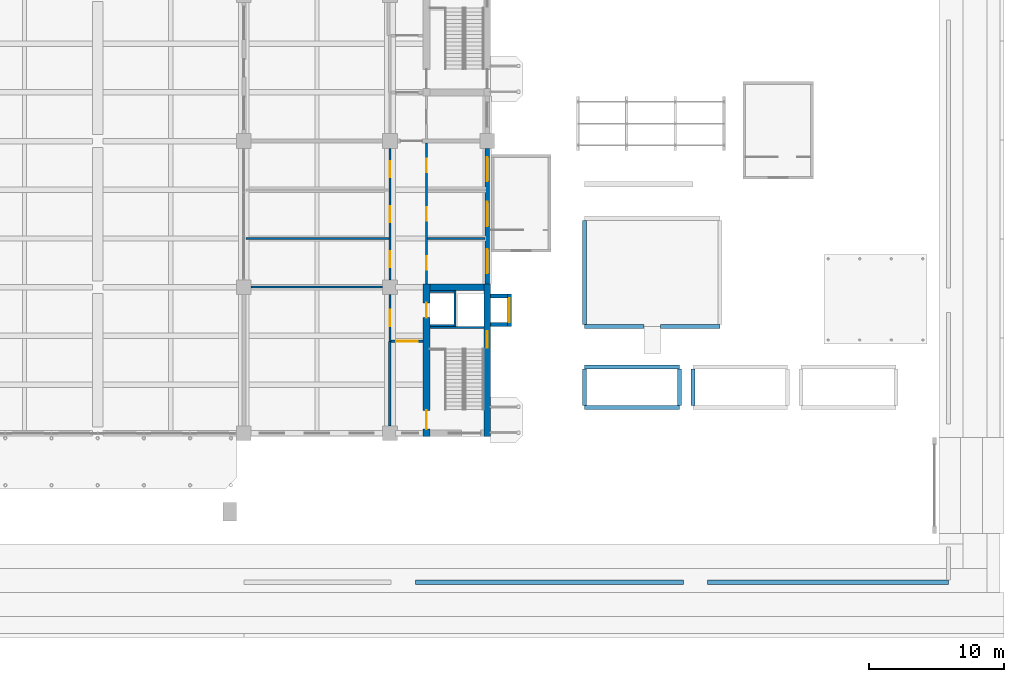
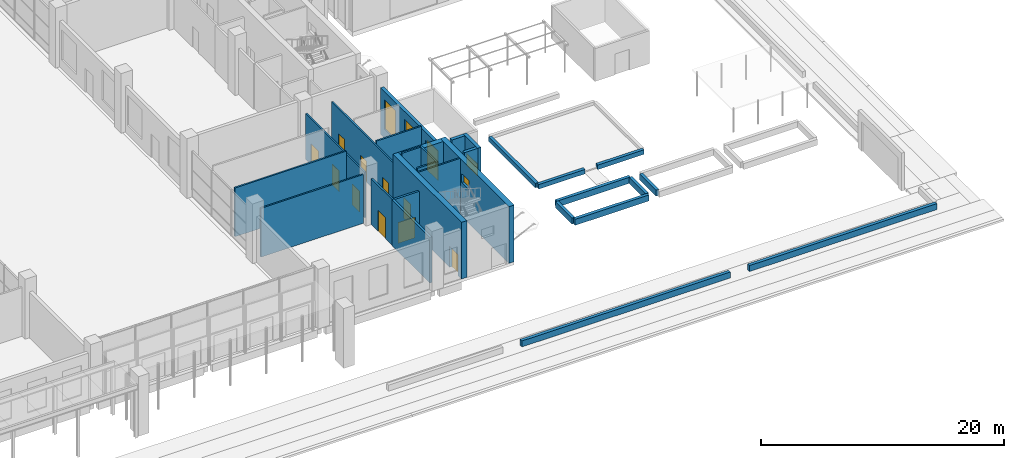
# One storey, part 51 of 71: 29 walls, 10 doors, 5 windows, 15 openings.
"""IFC4 building model written with IfcOpenShell, lengths in metres."""

from ifc_helpers import new_model, si_unit, direction, frame, frame_2d, origin, place, context, subcontext, project, spatial, rectangle, extrude, material, layer, layer_set, type_object, element, fill, save


model = new_model("IFC4")

# Units and contexts
model_context = context("Model", 3, precision=1e-05, world=origin(), true_north=direction((0.0, 1.0)))
body_context = subcontext(model_context, "Body", "Model", "MODEL_VIEW")
ifc_project = project(units=[si_unit("LENGTHUNIT", "METRE"), si_unit("AREAUNIT", "SQUARE_METRE"), si_unit("VOLUMEUNIT", "CUBIC_METRE"), si_unit("PLANEANGLEUNIT", "RADIAN"), si_unit("MASSUNIT", "GRAM", prefix="KILO")], contexts=[model_context])

# Site, building, storey
site_placement = place(None, origin())
site = spatial("IfcSite", under=ifc_project, at=site_placement, CompositionType="ELEMENT")
building_placement = place(site_placement, origin())
building = spatial("IfcBuilding", under=site, at=building_placement, Name="Basin Gate Institute", CompositionType="ELEMENT")
storey_placement = place(building_placement, origin())
storey = spatial("IfcBuildingStorey", under=building, at=storey_placement, Name="L00", CompositionType="ELEMENT", Elevation=0.0)

# Walls
ifc_material_1 = material(Name="Concrete 35 MPa", Category="concrete")
ifc_layer_1 = layer(ifc_material_1, 0.300048828125)
ifc_layer_set_1 = layer_set([ifc_layer_1], Name="Concrete 35 MPa")
wall_type_1 = type_object("IfcWallType", Name="Edge planter wall PL2", PredefinedType="SOLIDWALL", material=ifc_layer_set_1)
wall_1_placement = place(storey_placement, frame((113.489990234375, 24.090087890625, 0.0), z_axis=(0.0, 0.0, 1.0), x_axis=(1.0, 0.0, 0.0)))
element("IfcWall", 1, at=wall_1_placement, inside=storey, type_object=wall_type_1, material=ifc_layer_set_1, Name="Edge planter wall S5", PredefinedType="SOLIDWALL", context=body_context, shape_type="SweptSolid", body=[
    extrude(rectangle(XDim=19.800048828125, YDim=0.300048828125, at=frame_2d((9.89990234375, 0.0))), origin(), (0.0, 0.0, 1.0), 0.60009765625),
])
wall_2_placement = place(storey_placement, frame((135.090087890625, 24.090087890625, 0.0), z_axis=(0.0, 0.0, 1.0), x_axis=(1.0, 0.0, 0.0)))
element("IfcWall", 2, at=wall_2_placement, inside=storey, type_object=wall_type_1, material=ifc_layer_set_1, Name="Edge planter wall S6", PredefinedType="SOLIDWALL", context=body_context, shape_type="SweptSolid", body=[
    extrude(rectangle(XDim=17.81982421875, YDim=0.300048828125, at=frame_2d((8.909912109375, 0.0))), origin(), (0.0, 0.0, 1.0), 0.60009765625),
])

# Wall, opening, door
ifc_material_2 = material(Name="Fire-rated masonry", Category="masonry")
ifc_layer_2 = layer(ifc_material_2, 0.199951171875)
ifc_layer_set_2 = layer_set([ifc_layer_2], Name="Enclosure wall PW2 200 EI 60")
wall_type_2 = type_object("IfcWallType", Name="Enclosure wall PW2 200 EI 60", PredefinedType="PARTITIONING", material=ifc_layer_set_2)
wall_3_placement = place(storey_placement, frame((114.050048828125, 41.89990234375, 0.0), z_axis=(0.0, 0.0, 1.0), x_axis=(-1.0, 0.0, 0.0)))
wall_3 = element("IfcWall", 3, at=wall_3_placement, inside=storey, type_object=wall_type_2, material=ifc_layer_set_2, Name="Smoke lobby enclosure wall PW2 L00", PredefinedType="PARTITIONING", context=body_context, shape_type="SweptSolid", body=[
    extrude(rectangle(XDim=2.35009765625, YDim=0.199951171875, at=frame_2d((1.175048828125, 0.0))), origin(), (0.0, 0.0, 1.0), 4.60009765625),
])
opening_1_placement = place(wall_3_placement, frame((0.375, 0.0, 0.0)))
opening_1 = element("IfcOpeningElement", 4, at=opening_1_placement, cuts=wall_3, Name="Opening DR016", PredefinedType="OPENING", context=body_context, shape_type="SweptSolid", body=[
    extrude(rectangle(XDim=1.60009765625, YDim=2.10009765625, at=frame_2d((0.800048828125, 1.050048828125))), frame((0.0, 0.10986328125, 0.0), z_axis=(0.0, -1.0, 0.0), x_axis=(1.0, 0.0, 0.0)), (0.0, 0.0, 1.0), 0.219970703125),
])
ifc_material_3 = material(Name="Steel fire door", Category="steel")
door_type_1 = type_object("IfcDoorType", Name="FD60 Smoke lobby door pair D8", OperationType="DOUBLE_DOOR_SINGLE_SWING", PredefinedType="DOOR", material=ifc_material_3)
door_1_placement = place(opening_1_placement, origin())
door_1 = element("IfcDoor", 5, at=door_1_placement, inside=storey, type_object=door_type_1, material=ifc_material_3, Name="Smoke lobby door SS4 L00", OperationType="DOUBLE_DOOR_SINGLE_SWING", OverallHeight=2.10009765625, OverallWidth=1.60009765625, PredefinedType="DOOR", context=body_context, shape_type="SweptSolid", body=[
    extrude(rectangle(XDim=1.60009765625, YDim=2.10009765625, at=frame_2d((0.800048828125, 1.050048828125))), frame((0.0, 0.02490234375, 0.0), z_axis=(0.0, -1.0, 0.0), x_axis=(1.0, 0.0, 0.0)), (0.0, 0.0, 1.0), 0.050048828125),
])
fill(opening_1, door_1)

# Wall
wall_4_placement = place(storey_placement, frame((111.60009765625, 35.64990234375, 0.0), z_axis=(0.0, 0.0, 1.0), x_axis=(0.0, 1.0, 0.0)))
element("IfcWall", 6, at=wall_4_placement, inside=storey, type_object=wall_type_2, material=ifc_layer_set_2, Name="Smoke lobby enclosure wall PW2 L00", PredefinedType="PARTITIONING", context=body_context, shape_type="SweptSolid", body=[
    extrude(rectangle(XDim=6.25, YDim=0.199951171875, at=frame_2d((3.125, 0.0))), origin(), (0.0, 0.0, 1.0), 4.60009765625),
])

# Wall, openings, windows
ifc_material_4 = material(Name="Aluminium-faced insulated panel wall", Category="aluminium")
ifc_layer_3 = layer(ifc_material_4, 0.300048828125)
ifc_layer_set_3 = layer_set([ifc_layer_3], Name="External wall EW1 EI 120")
wall_type_3 = type_object("IfcWallType", Name="External wall EW1 EI 120", PredefinedType="STANDARD", material=ifc_layer_set_3)
wall_5_placement = place(storey_placement, frame((118.800048828125, 46.14990234375, 0.0), z_axis=(0.0, 0.0, 1.0), x_axis=(0.0, 1.0, 0.0)))
wall_5 = element("IfcWall", 7, at=wall_5_placement, inside=storey, type_object=wall_type_3, material=ifc_layer_set_3, Name="External wall E facade L00 1", PredefinedType="STANDARD", context=body_context, shape_type="SweptSolid", body=[
    extrude(rectangle(XDim=10.0, YDim=0.300048828125, at=frame_2d((5.0, 0.0))), origin(), (0.0, 0.0, 1.0), 4.699951171875),
])
opening_2_placement = place(wall_5_placement, frame((0.77490234375, 0.0, 0.89990234375)))
opening_2 = element("IfcOpeningElement", 8, at=opening_2_placement, cuts=wall_5, Name="Opening WN2", PredefinedType="OPENING", context=body_context, shape_type="SweptSolid", body=[
    extrude(rectangle(XDim=1.800048828125, YDim=3.0, at=frame_2d((0.89990234375, 1.5))), frame((0.0, 0.16015625, 0.0), z_axis=(0.0, -1.0, 0.0), x_axis=(1.0, 0.0, 0.0)), (0.0, 0.0, 1.0), 0.320068359375),
])
opening_3_placement = place(wall_5_placement, frame((4.25, 0.0, 0.89990234375)))
opening_3 = element("IfcOpeningElement", 9, at=opening_3_placement, cuts=wall_5, Name="Opening WN2", PredefinedType="OPENING", context=body_context, shape_type="SweptSolid", body=[
    extrude(rectangle(XDim=1.800048828125, YDim=3.0, at=frame_2d((0.89990234375, 1.5))), frame((0.0, 0.16015625, 0.0), z_axis=(0.0, -1.0, 0.0), x_axis=(1.0, 0.0, 0.0)), (0.0, 0.0, 1.0), 0.320068359375),
])
opening_4_placement = place(wall_5_placement, frame((7.574951171875, 0.0, 0.89990234375)))
opening_4 = element("IfcOpeningElement", 10, at=opening_4_placement, cuts=wall_5, Name="Opening WN2", PredefinedType="OPENING", context=body_context, shape_type="SweptSolid", body=[
    extrude(rectangle(XDim=1.800048828125, YDim=3.0, at=frame_2d((0.89990234375, 1.5))), frame((0.0, 0.16015625, 0.0), z_axis=(0.0, -1.0, 0.0), x_axis=(1.0, 0.0, 0.0)), (0.0, 0.0, 1.0), 0.320068359375),
])
ifc_material_5 = material(Name="Aluminium-framed double glazing", Category="aluminium")
window_type_1 = type_object("IfcWindowType", Name="Podium window WN2", PartitioningType="SINGLE_PANEL", PredefinedType="WINDOW", material=ifc_material_5)
window_1_placement = place(opening_2_placement, origin())
window_1 = element("IfcWindow", 11, at=window_1_placement, inside=storey, type_object=window_type_1, material=ifc_material_5, Name="Podium window E facade L00 bay 4", OverallHeight=3.0, OverallWidth=1.800048828125, PartitioningType="SINGLE_PANEL", PredefinedType="WINDOW", context=body_context, shape_type="SweptSolid", body=[
    extrude(rectangle(XDim=1.800048828125, YDim=3.0, at=frame_2d((0.89990234375, 1.5))), frame((0.0, 0.030029296875, 0.0), z_axis=(0.0, -1.0, 0.0), x_axis=(1.0, 0.0, 0.0)), (0.0, 0.0, 1.0), 0.06005859375),
])
fill(opening_2, window_1)
window_2_placement = place(opening_3_placement, origin())
window_2 = element("IfcWindow", 12, at=window_2_placement, inside=storey, type_object=window_type_1, material=ifc_material_5, Name="Podium window E facade L00 bay 5", OverallHeight=3.0, OverallWidth=1.800048828125, PartitioningType="SINGLE_PANEL", PredefinedType="WINDOW", context=body_context, shape_type="SweptSolid", body=[
    extrude(rectangle(XDim=1.800048828125, YDim=3.0, at=frame_2d((0.89990234375, 1.5))), frame((0.0, 0.030029296875, 0.0), z_axis=(0.0, -1.0, 0.0), x_axis=(1.0, 0.0, 0.0)), (0.0, 0.0, 1.0), 0.06005859375),
])
fill(opening_3, window_2)
window_3_placement = place(opening_4_placement, origin())
window_3 = element("IfcWindow", 13, at=window_3_placement, inside=storey, type_object=window_type_1, material=ifc_material_5, Name="Podium window E facade L00 bay 6", OverallHeight=3.0, OverallWidth=1.800048828125, PartitioningType="SINGLE_PANEL", PredefinedType="WINDOW", context=body_context, shape_type="SweptSolid", body=[
    extrude(rectangle(XDim=1.800048828125, YDim=3.0, at=frame_2d((0.89990234375, 1.5))), frame((0.0, 0.030029296875, 0.0), z_axis=(0.0, -1.0, 0.0), x_axis=(1.0, 0.0, 0.0)), (0.0, 0.0, 1.0), 0.06005859375),
])
fill(opening_4, window_3)

# Wall, openings, doors
ifc_material_6 = material(Name="Gypsum board on steel stud", Category="steel")
ifc_layer_4 = layer(ifc_material_6, 0.14990234375)
ifc_layer_set_4 = layer_set([ifc_layer_4], Name="Gypsum board on steel stud")
wall_type_4 = type_object("IfcWallType", Name="Partition PW1 150 EI 60", PredefinedType="PARTITIONING", material=ifc_layer_set_4)
wall_6_placement = place(storey_placement, frame((114.300048828125, 46.14990234375, 0.0), z_axis=(0.0, 0.0, 1.0), x_axis=(0.0, 1.0, 0.0)))
wall_6 = element("IfcWall", 14, at=wall_6_placement, inside=storey, type_object=wall_type_4, material=ifc_layer_set_4, Name="Corridor wall PW1 L00", PredefinedType="PARTITIONING", context=body_context, shape_type="SweptSolid", body=[
    extrude(rectangle(XDim=10.400146484375, YDim=0.14990234375, at=frame_2d((5.2001953125, 0.0))), origin(), (0.0, 0.0, 1.0), 4.60009765625),
])
opening_5_placement = place(wall_6_placement, frame((4.64990234375, 0.0, 0.0)))
opening_5 = element("IfcOpeningElement", 15, at=opening_5_placement, cuts=wall_6, Name="Opening DR005", PredefinedType="OPENING", context=body_context, shape_type="SweptSolid", body=[
    extrude(rectangle(XDim=1.0, YDim=2.10009765625, at=frame_2d((0.5, 1.050048828125))), frame((0.0, 0.0849609375, 0.0), z_axis=(0.0, -1.0, 0.0), x_axis=(1.0, 0.0, 0.0)), (0.0, 0.0, 1.0), 0.169921875),
])
opening_6_placement = place(wall_6_placement, frame((1.050048828125, 0.0, 0.0)))
opening_6 = element("IfcOpeningElement", 16, at=opening_6_placement, cuts=wall_6, Name="Opening DR009", PredefinedType="OPENING", context=body_context, shape_type="SweptSolid", body=[
    extrude(rectangle(XDim=1.0, YDim=2.10009765625, at=frame_2d((0.5, 1.050048828125))), frame((0.0, 0.0849609375, 0.0), z_axis=(0.0, -1.0, 0.0), x_axis=(1.0, 0.0, 0.0)), (0.0, 0.0, 1.0), 0.169921875),
])
opening_7_placement = place(wall_6_placement, frame((8.25, 0.0, 0.0)))
opening_7 = element("IfcOpeningElement", 17, at=opening_7_placement, cuts=wall_6, Name="Opening DR013", PredefinedType="OPENING", context=body_context, shape_type="SweptSolid", body=[
    extrude(rectangle(XDim=1.0, YDim=2.10009765625, at=frame_2d((0.5, 1.050048828125))), frame((0.0, 0.0849609375, 0.0), z_axis=(0.0, -1.0, 0.0), x_axis=(1.0, 0.0, 0.0)), (0.0, 0.0, 1.0), 0.169921875),
])
ifc_material_7 = material(Name="Timber fire door", Category="wood")
door_type_2 = type_object("IfcDoorType", Name="FD30 Office door D1", OperationType="NOTDEFINED", PredefinedType="DOOR", material=ifc_material_7)
door_2_placement = place(opening_7_placement, frame((1.0, 0.0, 0.0), z_axis=(0.0, 0.0, 1.0), x_axis=(-1.0, 0.0, 0.0)))
door_2 = element("IfcDoor", 18, at=door_2_placement, inside=storey, type_object=door_type_2, material=ifc_material_7, Name="Door to Write-up Office 0053 L00", OperationType="SINGLE_SWING_LEFT", OverallHeight=2.10009765625, OverallWidth=1.0, PredefinedType="DOOR", context=body_context, shape_type="SweptSolid", body=[
    extrude(rectangle(XDim=1.0, YDim=2.10009765625, at=frame_2d((0.5, 1.050048828125))), frame((0.0, 0.02490234375, 0.0), z_axis=(0.0, -1.0, 0.0), x_axis=(1.0, 0.0, 0.0)), (0.0, 0.0, 1.0), 0.050048828125),
])
fill(opening_7, door_2)
ifc_material_8 = material(Name="Timber fire door", Category="wood")
door_type_3 = type_object("IfcDoorType", Name="FD30 Toilet door D3", OperationType="NOTDEFINED", PredefinedType="DOOR", material=ifc_material_8)
door_3_placement = place(opening_5_placement, frame((1.0, 0.0, 0.0), z_axis=(0.0, 0.0, 1.0), x_axis=(-1.0, 0.0, 0.0)))
door_3 = element("IfcDoor", 19, at=door_3_placement, inside=storey, type_object=door_type_3, material=ifc_material_8, Name="Door to Female WC L00", OperationType="SINGLE_SWING_RIGHT", OverallHeight=2.10009765625, OverallWidth=1.0, PredefinedType="DOOR", context=body_context, shape_type="SweptSolid", body=[
    extrude(rectangle(XDim=1.0, YDim=2.10009765625, at=frame_2d((0.5, 1.050048828125))), frame((0.0, 0.02490234375, 0.0), z_axis=(0.0, -1.0, 0.0), x_axis=(1.0, 0.0, 0.0)), (0.0, 0.0, 1.0), 0.050048828125),
])
fill(opening_5, door_3)
door_4_placement = place(opening_6_placement, frame((1.0, 0.0, 0.0), z_axis=(0.0, 0.0, 1.0), x_axis=(-1.0, 0.0, 0.0)))
door_4 = element("IfcDoor", 20, at=door_4_placement, inside=storey, type_object=door_type_3, material=ifc_material_8, Name="Door to Male WC L00", OperationType="SINGLE_SWING_RIGHT", OverallHeight=2.10009765625, OverallWidth=1.0, PredefinedType="DOOR", context=body_context, shape_type="SweptSolid", body=[
    extrude(rectangle(XDim=1.0, YDim=2.10009765625, at=frame_2d((0.5, 1.050048828125))), frame((0.0, 0.02490234375, 0.0), z_axis=(0.0, -1.0, 0.0), x_axis=(1.0, 0.0, 0.0)), (0.0, 0.0, 1.0), 0.050048828125),
])
fill(opening_6, door_4)

# Wall, opening, door
wall_7_placement = place(storey_placement, frame((111.60009765625, 41.89990234375, 0.0), z_axis=(0.0, 0.0, 1.0), x_axis=(0.0, 1.0, 0.0)))
wall_7 = element("IfcWall", 21, at=wall_7_placement, inside=storey, type_object=wall_type_4, material=ifc_layer_set_4, Name="Laboratory corridor wall PW1 L00", PredefinedType="PARTITIONING", context=body_context, shape_type="SweptSolid", body=[
    extrude(rectangle(XDim=3.4501953125, YDim=0.14990234375, at=frame_2d((1.72509765625, 0.0))), origin(), (0.0, 0.0, 1.0), 4.60009765625),
])
opening_8_placement = place(wall_7_placement, frame((1.125, 0.0, 0.0)))
opening_8 = element("IfcOpeningElement", 22, at=opening_8_placement, cuts=wall_7, Name="Opening DR001", PredefinedType="OPENING", context=body_context, shape_type="SweptSolid", body=[
    extrude(rectangle(XDim=1.199951171875, YDim=2.10009765625, at=frame_2d((0.60009765625, 1.050048828125))), frame((0.0, 0.0849609375, 0.0), z_axis=(0.0, -1.0, 0.0), x_axis=(1.0, 0.0, 0.0)), (0.0, 0.0, 1.0), 0.169921875),
])
ifc_material_9 = material(Name="Timber fire door", Category="wood")
door_type_4 = type_object("IfcDoorType", Name="FD30 Laboratory door D2", OperationType="DOUBLE_DOOR_SINGLE_SWING", PredefinedType="DOOR", material=ifc_material_9)
door_5_placement = place(opening_8_placement, origin())
door_5 = element("IfcDoor", 23, at=door_5_placement, inside=storey, type_object=door_type_4, material=ifc_material_9, Name="Door to Dry Laboratory 0065 L00", OperationType="DOUBLE_DOOR_SINGLE_SWING", OverallHeight=2.10009765625, OverallWidth=1.199951171875, PredefinedType="DOOR", context=body_context, shape_type="SweptSolid", body=[
    extrude(rectangle(XDim=1.199951171875, YDim=2.10009765625, at=frame_2d((0.60009765625, 1.050048828125))), frame((0.0, 0.02490234375, 0.0), z_axis=(0.0, -1.0, 0.0), x_axis=(1.0, 0.0, 0.0)), (0.0, 0.0, 1.0), 0.050048828125),
])
fill(opening_8, door_5)

# Wall, openings, doors
wall_8_placement = place(storey_placement, frame((111.60009765625, 46.449951171875, 0.0), z_axis=(0.0, 0.0, 1.0), x_axis=(0.0, 1.0, 0.0)))
wall_8 = element("IfcWall", 24, at=wall_8_placement, inside=storey, type_object=wall_type_4, material=ifc_layer_set_4, Name="Laboratory corridor wall PW1 L00", PredefinedType="PARTITIONING", context=body_context, shape_type="SweptSolid", body=[
    extrude(rectangle(XDim=9.699951171875, YDim=0.14990234375, at=frame_2d((4.85009765625, 0.0))), origin(), (0.0, 0.0, 1.0), 4.60009765625),
])
opening_9_placement = place(wall_8_placement, frame((4.25, 0.0, 0.0)))
opening_9 = element("IfcOpeningElement", 25, at=opening_9_placement, cuts=wall_8, Name="Opening DR002", PredefinedType="OPENING", context=body_context, shape_type="SweptSolid", body=[
    extrude(rectangle(XDim=1.199951171875, YDim=2.10009765625, at=frame_2d((0.60009765625, 1.050048828125))), frame((0.0, 0.0849609375, 0.0), z_axis=(0.0, -1.0, 0.0), x_axis=(1.0, 0.0, 0.0)), (0.0, 0.0, 1.0), 0.169921875),
])
opening_10_placement = place(wall_8_placement, frame((0.925048828125, 0.0, 0.0)))
opening_10 = element("IfcOpeningElement", 26, at=opening_10_placement, cuts=wall_8, Name="Opening DR010", PredefinedType="OPENING", context=body_context, shape_type="SweptSolid", body=[
    extrude(rectangle(XDim=1.199951171875, YDim=2.10009765625, at=frame_2d((0.60009765625, 1.050048828125))), frame((0.0, 0.0849609375, 0.0), z_axis=(0.0, -1.0, 0.0), x_axis=(1.0, 0.0, 0.0)), (0.0, 0.0, 1.0), 0.169921875),
])
opening_11_placement = place(wall_8_placement, frame((7.574951171875, 0.0, 0.0)))
opening_11 = element("IfcOpeningElement", 27, at=opening_11_placement, cuts=wall_8, Name="Opening DR011", PredefinedType="OPENING", context=body_context, shape_type="SweptSolid", body=[
    extrude(rectangle(XDim=1.199951171875, YDim=2.10009765625, at=frame_2d((0.60009765625, 1.050048828125))), frame((0.0, 0.0849609375, 0.0), z_axis=(0.0, -1.0, 0.0), x_axis=(1.0, 0.0, 0.0)), (0.0, 0.0, 1.0), 0.169921875),
])
door_6_placement = place(opening_9_placement, origin())
door_6 = element("IfcDoor", 28, at=door_6_placement, inside=storey, type_object=door_type_4, material=ifc_material_9, Name="Door to Dry Laboratory 0067 L00", OperationType="DOUBLE_DOOR_SINGLE_SWING", OverallHeight=2.10009765625, OverallWidth=1.199951171875, PredefinedType="DOOR", context=body_context, shape_type="SweptSolid", body=[
    extrude(rectangle(XDim=1.199951171875, YDim=2.10009765625, at=frame_2d((0.60009765625, 1.050048828125))), frame((0.0, 0.02490234375, 0.0), z_axis=(0.0, -1.0, 0.0), x_axis=(1.0, 0.0, 0.0)), (0.0, 0.0, 1.0), 0.050048828125),
])
fill(opening_9, door_6)
door_7_placement = place(opening_10_placement, origin())
door_7 = element("IfcDoor", 29, at=door_7_placement, inside=storey, type_object=door_type_4, material=ifc_material_9, Name="Door to Sample Reception 0066 L00", OperationType="DOUBLE_DOOR_SINGLE_SWING", OverallHeight=2.10009765625, OverallWidth=1.199951171875, PredefinedType="DOOR", context=body_context, shape_type="SweptSolid", body=[
    extrude(rectangle(XDim=1.199951171875, YDim=2.10009765625, at=frame_2d((0.60009765625, 1.050048828125))), frame((0.0, 0.02490234375, 0.0), z_axis=(0.0, -1.0, 0.0), x_axis=(1.0, 0.0, 0.0)), (0.0, 0.0, 1.0), 0.050048828125),
])
fill(opening_10, door_7)
door_8_placement = place(opening_11_placement, origin())
door_8 = element("IfcDoor", 30, at=door_8_placement, inside=storey, type_object=door_type_4, material=ifc_material_9, Name="Door to Sample Reception 0068 L00", OperationType="DOUBLE_DOOR_SINGLE_SWING", OverallHeight=2.10009765625, OverallWidth=1.199951171875, PredefinedType="DOOR", context=body_context, shape_type="SweptSolid", body=[
    extrude(rectangle(XDim=1.199951171875, YDim=2.10009765625, at=frame_2d((0.60009765625, 1.050048828125))), frame((0.0, 0.02490234375, 0.0), z_axis=(0.0, -1.0, 0.0), x_axis=(1.0, 0.0, 0.0)), (0.0, 0.0, 1.0), 0.050048828125),
])
fill(opening_11, door_8)

# Walls
wall_9_placement = place(storey_placement, frame((111.050048828125, 45.89990234375, 0.0), z_axis=(0.0, 0.0, 1.0), x_axis=(-1.0, 0.0, 0.0)))
element("IfcWall", 31, at=wall_9_placement, inside=storey, type_object=wall_type_4, material=ifc_layer_set_4, Name="Laboratory partition PW1 L00", PredefinedType="PARTITIONING", context=body_context, shape_type="SweptSolid", body=[
    extrude(rectangle(XDim=9.699951171875, YDim=0.14990234375, at=frame_2d((4.85009765625, 0.0))), origin(), (0.0, 0.0, 1.0), 4.89990234375),
])
wall_10_placement = place(storey_placement, frame((111.52490234375, 49.5, 0.0), z_axis=(0.0, 0.0, 1.0), x_axis=(-1.0, 0.0, 0.0)))
element("IfcWall", 32, at=wall_10_placement, inside=storey, type_object=wall_type_4, material=ifc_layer_set_4, Name="Laboratory partition PW1 L00", PredefinedType="PARTITIONING", context=body_context, shape_type="SweptSolid", body=[
    extrude(rectangle(XDim=10.574951171875, YDim=0.14990234375, at=frame_2d((5.28759765625, 0.0))), origin(), (0.0, 0.0, 1.0), 4.89990234375),
])
ifc_material_10 = material(Name="Gypsum board on steel stud", Category="steel")
ifc_layer_5 = layer(ifc_material_10, 0.14990234375)
ifc_layer_set_5 = layer_set([ifc_layer_5], Name="Gypsum board on steel stud")
wall_type_5 = type_object("IfcWallType", Name="Partition PW4 150", PredefinedType="PARTITIONING", material=ifc_layer_set_5)
wall_11_placement = place(storey_placement, frame((118.64990234375, 49.5, 0.0), z_axis=(0.0, 0.0, 1.0), x_axis=(-1.0, 0.0, 0.0)))
element("IfcWall", 33, at=wall_11_placement, inside=storey, type_object=wall_type_5, material=ifc_layer_set_5, Name="Toilet partition PW4 L00", PredefinedType="PARTITIONING", context=body_context, shape_type="SweptSolid", body=[
    extrude(rectangle(XDim=4.27490234375, YDim=0.14990234375, at=frame_2d((2.137451171875, 0.0))), origin(), (0.0, 0.0, 1.0), 4.89990234375),
])
ifc_material_11 = material(Name="Concrete 35 MPa", Category="concrete")
ifc_layer_6 = layer(ifc_material_11, 0.300048828125)
ifc_layer_set_6 = layer_set([ifc_layer_6], Name="Concrete 35 MPa")
wall_type_6 = type_object("IfcWallType", Name="Planter bed wall PL3", PredefinedType="SOLIDWALL", material=ifc_layer_set_6)
for number, where, z_axis, x_axis, name in (
    (34, (126.0, 37.0, 0.0), (0.0, 0.0, 1.0), (1.0, 0.0, 0.0), "Service Court planter bed 1 wall (soil 550 mm) S"),
    (35, (126.0, 40.0, 0.0), (0.0, 0.0, 1.0), (1.0, 0.0, 0.0), "Service Court planter bed 1 wall (soil 550 mm) N"),
):
    element("IfcWall", number, at=place(storey_placement, frame(where, z_axis=z_axis, x_axis=x_axis)), inside=storey, type_object=wall_type_6, material=ifc_layer_set_6, Name=name, PredefinedType="SOLIDWALL", context=body_context, shape_type="SweptSolid", body=[
        extrude(rectangle(XDim=7.0, YDim=0.300048828125, at=frame_2d((3.5, 0.0))), origin(), (0.0, 0.0, 1.0), 0.60009765625),
    ])
for number, where, z_axis, x_axis, name in (
    (36, (126.0, 37.14990234375, 0.0), (0.0, 0.0, 1.0), (0.0, 1.0, 0.0), "Service Court planter bed 1 wall (soil 550 mm) W"),
    (37, (133.0, 37.14990234375, 0.0), (0.0, 0.0, 1.0), (0.0, 1.0, 0.0), "Service Court planter bed 1 wall (soil 550 mm) E"),
    (38, (134.0, 37.14990234375, 0.0), (0.0, 0.0, 1.0), (0.0, 1.0, 0.0), "Service Court planter bed 2 wall (soil 550 mm) W"),
):
    element("IfcWall", number, at=place(storey_placement, frame(where, z_axis=z_axis, x_axis=x_axis)), inside=storey, type_object=wall_type_6, material=ifc_layer_set_6, Name=name, PredefinedType="SOLIDWALL", context=body_context, shape_type="SweptSolid", body=[
        extrude(rectangle(XDim=2.7001953125, YDim=0.300048828125, at=frame_2d((1.35009765625, 0.0))), origin(), (0.0, 0.0, 1.0), 0.60009765625),
    ])
ifc_material_12 = material(Name="Concrete 35 MPa", Category="concrete")
ifc_layer_7 = layer(ifc_material_12, 0.300048828125)
ifc_layer_set_7 = layer_set([ifc_layer_7], Name="Concrete 35 MPa")
wall_type_7 = type_object("IfcWallType", Name="Rain garden wall RG1", PredefinedType="SOLIDWALL", material=ifc_layer_set_7)
for number, where, z_axis, x_axis, name in (
    (39, (126.0, 43.0, 0.0), (0.0, 0.0, 1.0), (1.0, 0.0, 0.0), "Service Court rain garden 1 wall S"),
    (40, (131.60009765625, 43.0, 0.0), (0.0, 0.0, 1.0), (1.0, 0.0, 0.0), "Service Court rain garden 1 wall S"),
):
    element("IfcWall", number, at=place(storey_placement, frame(where, z_axis=z_axis, x_axis=x_axis)), inside=storey, type_object=wall_type_7, material=ifc_layer_set_7, Name=name, PredefinedType="SOLIDWALL", context=body_context, shape_type="SweptSolid", body=[
        extrude(rectangle(XDim=4.39990234375, YDim=0.300048828125, at=frame_2d((2.199951171875, 0.0))), origin(), (0.0, 0.0, 1.0), 0.449951171875),
    ])
wall_12_placement = place(storey_placement, frame((126.0, 43.14990234375, 0.0), z_axis=(0.0, 0.0, 1.0), x_axis=(0.0, 1.0, 0.0)))
element("IfcWall", 41, at=wall_12_placement, inside=storey, type_object=wall_type_7, material=ifc_layer_set_7, Name="Service Court rain garden 1 wall W", PredefinedType="SOLIDWALL", context=body_context, shape_type="SweptSolid", body=[
    extrude(rectangle(XDim=7.7001953125, YDim=0.300048828125, at=frame_2d((3.85009765625, 0.0))), origin(), (0.0, 0.0, 1.0), 0.449951171875),
])
ifc_material_13 = material(Name="Concrete 40 MPa", Category="concrete")
ifc_layer_8 = layer(ifc_material_13, 0.14990234375)
ifc_layer_set_8 = layer_set([ifc_layer_8], Name="Concrete 40 MPa")
wall_type_8 = type_object("IfcWallType", Name="Wall LS1 lift shaft enclosure R180", PredefinedType="SOLIDWALL", material=ifc_layer_set_8)
wall_13_placement = place(storey_placement, frame((116.425048828125, 43.0, 0.0), z_axis=(0.0, 0.0, 1.0), x_axis=(0.0, 1.0, 0.0)))
element("IfcWall", 42, at=wall_13_placement, inside=storey, type_object=wall_type_8, material=ifc_layer_set_8, Name="Lift shaft enclosure LP4 L00 UL", PredefinedType="SOLIDWALL", context=body_context, shape_type="SweptSolid", body=[
    extrude(rectangle(XDim=2.64990234375, YDim=0.14990234375, at=frame_2d((1.324951171875, 0.0))), origin(), (0.0, 0.0, 1.0), 6.0),
])
for number, where, z_axis, x_axis, name in (
    (43, (116.35009765625, 43.074951171875, 0.0), (0.0, 0.0, 1.0), (-1.0, 0.0, 0.0), "Lift shaft enclosure LP4 L00 RL"),
    (44, (116.35009765625, 45.574951171875, 0.0), (0.0, 0.0, 1.0), (-1.0, 0.0, 0.0), "Lift shaft enclosure LP4 L00 RH"),
):
    element("IfcWall", number, at=place(storey_placement, frame(where, z_axis=z_axis, x_axis=x_axis)), inside=storey, type_object=wall_type_8, material=ifc_layer_set_8, Name=name, PredefinedType="SOLIDWALL", context=body_context, shape_type="SweptSolid", body=[
        extrude(rectangle(XDim=1.800048828125, YDim=0.14990234375, at=frame_2d((0.89990234375, 0.0))), origin(), (0.0, 0.0, 1.0), 6.0),
    ])
ifc_material_14 = material(Name="Concrete 40 MPa", Category="concrete")
ifc_layer_9 = layer(ifc_material_14, 0.14990234375)
ifc_layer_set_9 = layer_set([ifc_layer_9], Name="Concrete 40 MPa")
wall_type_9 = type_object("IfcWallType", Name="Wall SE1 stair enclosure R180", PredefinedType="SOLIDWALL", material=ifc_layer_set_9)
wall_14_placement = place(storey_placement, frame((118.550048828125, 42.925048828125, 0.0), z_axis=(0.0, 0.0, 1.0), x_axis=(-1.0, 0.0, 0.0)))
element("IfcWall", 45, at=wall_14_placement, inside=storey, type_object=wall_type_9, material=ifc_layer_set_9, Name="Stair enclosure wall ST-ES L00", PredefinedType="SOLIDWALL", context=body_context, shape_type="SweptSolid", body=[
    extrude(rectangle(XDim=4.0, YDim=0.14990234375, at=frame_2d((2.0, 0.0))), origin(), (0.0, 0.0, 1.0), 5.699951171875),
])

# Wall, opening, window
ifc_material_15 = material(Name="Concrete 50 MPa", Category="concrete")
ifc_layer_10 = layer(ifc_material_15, 0.300048828125)
ifc_layer_set_10 = layer_set([ifc_layer_10], Name="Concrete 50 MPa")
wall_type_10 = type_object("IfcWallType", Name="Wall SK1 R180", PredefinedType="SHEAR", material=ifc_layer_set_10)
wall_15_placement = place(storey_placement, frame((120.449951171875, 43.0, 0.0), z_axis=(0.0, 0.0, 1.0), x_axis=(0.0, 1.0, 0.0)))
wall_15 = element("IfcWall", 46, at=wall_15_placement, inside=storey, type_object=wall_type_10, material=ifc_layer_set_10, Name="Spine riser stack wall SK1 ES F L00", PredefinedType="SHEAR", context=body_context, shape_type="SweptSolid", body=[
    extrude(rectangle(XDim=2.39990234375, YDim=0.300048828125, at=frame_2d((1.199951171875, 0.0))), origin(), (0.0, 0.0, 1.0), 6.0),
])
opening_12_placement = place(wall_15_placement, frame((0.300048828125, 0.0, 3.0)))
opening_12 = element("IfcOpeningElement", 47, at=opening_12_placement, cuts=wall_15, Name="Opening WL1", PredefinedType="OPENING", context=body_context, shape_type="SweptSolid", body=[
    extrude(rectangle(XDim=1.800048828125, YDim=1.199951171875, at=frame_2d((0.89990234375, 0.60009765625))), frame((0.0, 0.16015625, 0.0), z_axis=(0.0, -1.0, 0.0), x_axis=(1.0, 0.0, 0.0)), (0.0, 0.0, 1.0), 0.320068359375),
])
ifc_material_16 = material(Name="Aluminium louvre blades with fire damper", Category="aluminium")
window_type_2 = type_object("IfcWindowType", Name="Riser louvre EI 180 WL1", PartitioningType="SINGLE_PANEL", PredefinedType="WINDOW", material=ifc_material_16)
window_4_placement = place(opening_12_placement, origin())
window_4 = element("IfcWindow", 48, at=window_4_placement, inside=storey, type_object=window_type_2, material=ifc_material_16, Name="Riser louvre EI 180 ES riser 1 L00", OverallHeight=1.199951171875, OverallWidth=1.800048828125, PartitioningType="SINGLE_PANEL", PredefinedType="WINDOW", context=body_context, shape_type="SweptSolid", body=[
    extrude(rectangle(XDim=1.800048828125, YDim=1.199951171875, at=frame_2d((0.89990234375, 0.60009765625))), frame((0.0, 0.030029296875, 0.0), z_axis=(0.0, -1.0, 0.0), x_axis=(1.0, 0.0, 0.0)), (0.0, 0.0, 1.0), 0.06005859375),
])
fill(opening_12, window_4)

# Walls
for number, where, z_axis, x_axis, name in (
    (49, (119.050048828125, 43.14990234375, 0.0), (0.0, 0.0, 1.0), (1.0, 0.0, 0.0), "Spine riser stack wall SK1 ES A L00"),
    (50, (119.050048828125, 45.25, 0.0), (0.0, 0.0, 1.0), (1.0, 0.0, 0.0), "Spine riser stack wall SK1 ES B L00"),
):
    element("IfcWall", number, at=place(storey_placement, frame(where, z_axis=z_axis, x_axis=x_axis)), inside=storey, type_object=wall_type_10, material=ifc_layer_set_10, Name=name, PredefinedType="SHEAR", context=body_context, shape_type="SweptSolid", body=[
        extrude(rectangle(XDim=1.25, YDim=0.300048828125, at=frame_2d((0.625, 0.0))), origin(), (0.0, 0.0, 1.0), 6.0),
    ])

# Wall, opening, window
ifc_material_17 = material(Name="Concrete 60 MPa", Category="concrete")
ifc_layer_11 = layer(ifc_material_17, 0.5)
ifc_layer_set_11 = layer_set([ifc_layer_11], Name="Concrete 60 MPa")
wall_type_11 = type_object("IfcWallType", Name="Wall SW1 R180", PredefinedType="SHEAR", material=ifc_layer_set_11)
wall_16_placement = place(storey_placement, frame((118.800048828125, 34.85009765625, 0.0), z_axis=(0.0, 0.0, 1.0), x_axis=(0.0, 1.0, 0.0)))
wall_16 = element("IfcWall", 51, at=wall_16_placement, inside=storey, type_object=wall_type_11, material=ifc_layer_set_11, Name="WALL/L00/ES/L", PredefinedType="SHEAR", context=body_context, shape_type="SweptSolid", body=[
    extrude(rectangle(XDim=11.2998046875, YDim=0.5, at=frame_2d((5.64990234375, 0.0))), origin(), (0.0, 0.0, 1.0), 5.699951171875),
])
opening_13_placement = place(wall_16_placement, frame((6.580078125, 0.0, 3.39990234375)))
opening_13 = element("IfcOpeningElement", 52, at=opening_13_placement, cuts=wall_16, Name="Opening WT1", PredefinedType="OPENING", context=body_context, shape_type="SweptSolid", body=[
    extrude(rectangle(XDim=1.199951171875, YDim=0.89990234375, at=frame_2d((0.60009765625, 0.449951171875))), frame((0.0, 0.260009765625, 0.0), z_axis=(0.0, -1.0, 0.0), x_axis=(1.0, 0.0, 0.0)), (0.0, 0.0, 1.0), 0.52001953125),
])
ifc_material_18 = material(Name="Fire-resistant glazing in steel-free frame", Category="steel")
window_type_3 = type_object("IfcWindowType", Name="Rated stair window EI 180 WT1", PartitioningType="SINGLE_PANEL", PredefinedType="WINDOW", material=ifc_material_18)
window_5_placement = place(opening_13_placement, origin())
window_5 = element("IfcWindow", 53, at=window_5_placement, inside=storey, type_object=window_type_3, material=ifc_material_18, Name="Rated stair window EI 180 ES landing L00", OverallHeight=0.89990234375, OverallWidth=1.199951171875, PartitioningType="SINGLE_PANEL", PredefinedType="WINDOW", context=body_context, shape_type="SweptSolid", body=[
    extrude(rectangle(XDim=1.199951171875, YDim=0.89990234375, at=frame_2d((0.60009765625, 0.449951171875))), frame((0.0, 0.030029296875, 0.0), z_axis=(0.0, -1.0, 0.0), x_axis=(1.0, 0.0, 0.0)), (0.0, 0.0, 1.0), 0.06005859375),
])
fill(opening_13, window_5)

# Wall, openings, doors
wall_17_placement = place(storey_placement, frame((114.300048828125, 34.85009765625, 0.0), z_axis=(0.0, 0.0, 1.0), x_axis=(0.0, 1.0, 0.0)))
wall_17 = element("IfcWall", 54, at=wall_17_placement, inside=storey, type_object=wall_type_11, material=ifc_layer_set_11, Name="WALL/L00/ES/C", PredefinedType="SHEAR", context=body_context, shape_type="SweptSolid", body=[
    extrude(rectangle(XDim=11.2998046875, YDim=0.5, at=frame_2d((5.64990234375, 0.0))), origin(), (0.0, 0.0, 1.0), 5.699951171875),
])
opening_14_placement = place(wall_17_placement, frame((0.550048828125, 0.0, 0.0)))
opening_14 = element("IfcOpeningElement", 55, at=opening_14_placement, cuts=wall_17, Name="Opening DS004", PredefinedType="OPENING", context=body_context, shape_type="SweptSolid", body=[
    extrude(rectangle(XDim=1.39990234375, YDim=2.10009765625, at=frame_2d((0.699951171875, 1.050048828125))), frame((0.0, 0.260009765625, 0.0), z_axis=(0.0, -1.0, 0.0), x_axis=(1.0, 0.0, 0.0)), (0.0, 0.0, 1.0), 0.52001953125),
])
opening_15_placement = place(wall_17_placement, frame((8.800048828125, 0.0, 0.0)))
opening_15 = element("IfcOpeningElement", 56, at=opening_15_placement, cuts=wall_17, Name="Opening LD072", PredefinedType="OPENING", context=body_context, shape_type="SweptSolid", body=[
    extrude(rectangle(XDim=1.10009765625, YDim=2.10009765625, at=frame_2d((0.550048828125, 1.050048828125))), frame((0.0, 0.260009765625, 0.0), z_axis=(0.0, -1.0, 0.0), x_axis=(1.0, 0.0, 0.0)), (0.0, 0.0, 1.0), 0.52001953125),
])
ifc_material_19 = material(Name="Steel fire door", Category="steel")
door_type_5 = type_object("IfcDoorType", Name="FD60 Exit-level stair enclosure door DSX", OperationType="DOUBLE_DOOR_SINGLE_SWING", PredefinedType="DOOR", material=ifc_material_19)
door_9_placement = place(opening_14_placement, frame((1.39990234375, 0.0, 0.0), z_axis=(0.0, 0.0, 1.0), x_axis=(-1.0, 0.0, 0.0)))
door_9 = element("IfcDoor", 57, at=door_9_placement, inside=storey, type_object=door_type_5, material=ifc_material_19, Name="Stair enclosure door ST-ES L00", OperationType="DOUBLE_DOOR_SINGLE_SWING", OverallHeight=2.10009765625, OverallWidth=1.39990234375, PredefinedType="DOOR", context=body_context, shape_type="SweptSolid", body=[
    extrude(rectangle(XDim=1.39990234375, YDim=2.10009765625, at=frame_2d((0.699951171875, 1.050048828125))), frame((0.0, 0.02490234375, 0.0), z_axis=(0.0, -1.0, 0.0), x_axis=(1.0, 0.0, 0.0)), (0.0, 0.0, 1.0), 0.050048828125),
])
fill(opening_14, door_9)
ifc_material_20 = material(Name="Stainless steel", Category="steel")
door_type_6 = type_object("IfcDoorType", Name="FD60 Lift landing door LD", OperationType="SLIDING_TO_LEFT", PredefinedType="DOOR", material=ifc_material_20)
door_10_placement = place(opening_15_placement, origin())
door_10 = element("IfcDoor", 58, at=door_10_placement, inside=storey, type_object=door_type_6, material=ifc_material_20, Name="Lift landing door LP4 L00", OperationType="SLIDING_TO_LEFT", OverallHeight=2.10009765625, OverallWidth=1.10009765625, PredefinedType="DOOR", context=body_context, shape_type="SweptSolid", body=[
    extrude(rectangle(XDim=1.10009765625, YDim=2.10009765625, at=frame_2d((0.550048828125, 1.050048828125))), frame((0.0, 0.02490234375, 0.0), z_axis=(0.0, -1.0, 0.0), x_axis=(1.0, 0.0, 0.0)), (0.0, 0.0, 1.0), 0.050048828125),
])
fill(opening_15, door_10)

# Wall
wall_18_placement = place(storey_placement, frame((118.550048828125, 45.89990234375, 0.0), z_axis=(0.0, 0.0, 1.0), x_axis=(-1.0, 0.0, 0.0)))
element("IfcWall", 59, at=wall_18_placement, inside=storey, type_object=wall_type_11, material=ifc_layer_set_11, Name="WALL/L00/ES/N", PredefinedType="SHEAR", context=body_context, shape_type="SweptSolid", body=[
    extrude(rectangle(XDim=4.0, YDim=0.5, at=frame_2d((2.0, 0.0))), origin(), (0.0, 0.0, 1.0), 5.699951171875),
])

save(model, "model.ifc")
